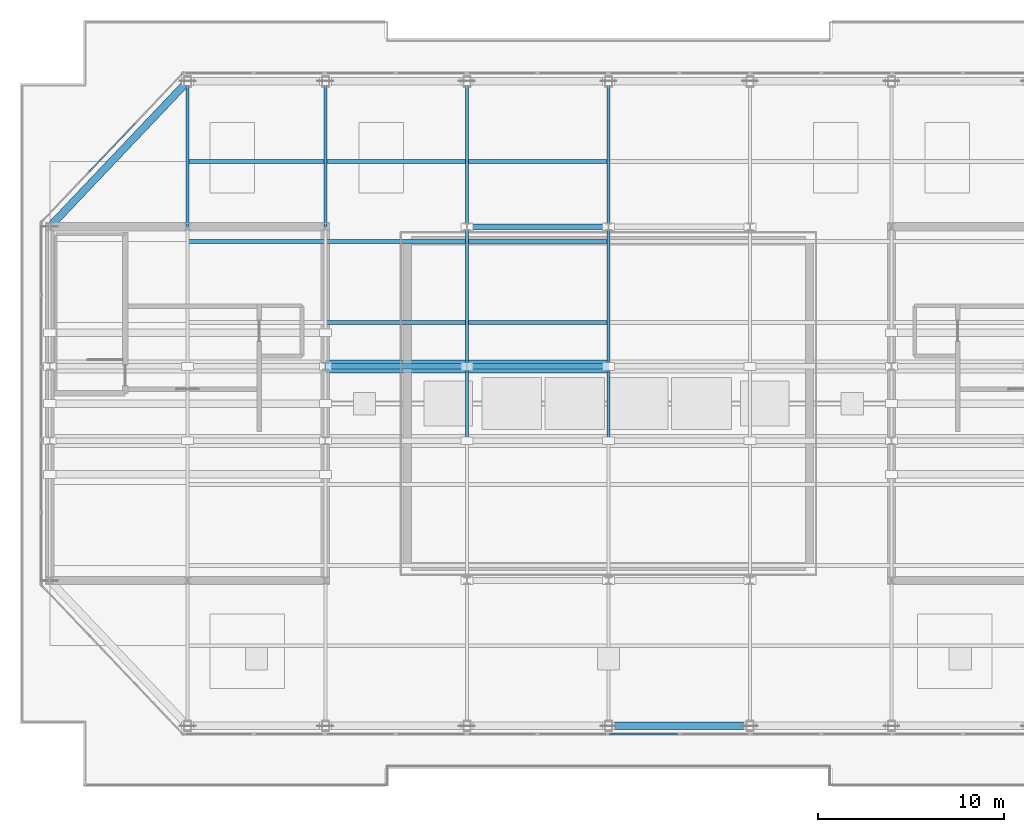
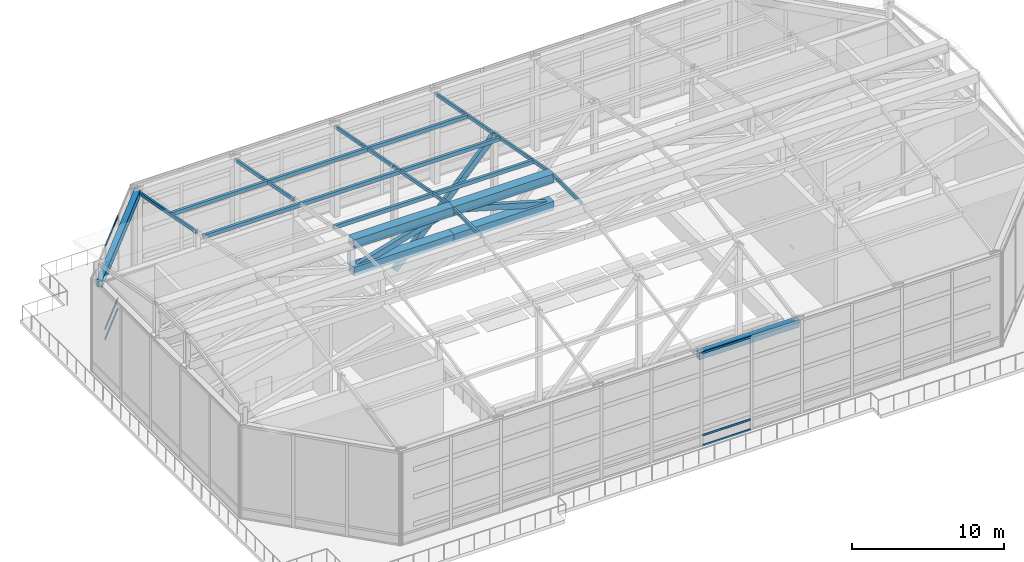
# One storey, part 9 of 25: 26 members, 2 beams, 2 elements without a shape of their own.
"""IFC4 building model written with IfcOpenShell, lengths in metres."""

from ifc_helpers import new_model, si_unit, direction, frame, origin, origin_2d, place, context, subcontext, project, spatial, hollow_rectangle, extrude, source, transform, mapped, material, layer, layer_set, material_profile, profile_set, type_object, type_shapes, element, aggregate, save


model = new_model("IFC4")

# Units and contexts
model_context = context("Model", 3, precision=1e-05, world=origin(), true_north=direction((0.0, 1.0)))
body_context = subcontext(model_context, "Body", "Model", "MODEL_VIEW")
ifc_project = project(units=[si_unit("LENGTHUNIT", "METRE"), si_unit("AREAUNIT", "SQUARE_METRE"), si_unit("VOLUMEUNIT", "CUBIC_METRE"), si_unit("PLANEANGLEUNIT", "RADIAN"), si_unit("MASSUNIT", "GRAM", prefix="KILO")], contexts=[model_context])

# Site, building, storey
site_placement = place(None, origin())
site = spatial("IfcSite", under=ifc_project, at=site_placement, CompositionType="ELEMENT")
building_placement = place(site_placement, origin())
building = spatial("IfcBuilding", under=site, at=building_placement, Name="Haelvirn Gate Laboratories", CompositionType="ELEMENT")
storey_placement = place(building_placement, frame((0.0, 0.0, 337.800048828125)))
storey = spatial("IfcBuildingStorey", under=building, at=storey_placement, Name="RF", CompositionType="ELEMENT", Elevation=337.800048828125)

# Beams
ifc_material_1 = material(Name="Steel SM420", Category="steel")
ifc_material_profile_1 = material_profile(ifc_material_1, hollow_rectangle(XDim=0.39990234375, YDim=0.60009765625, WallThickness=0.02490234375, at=origin_2d()), Name="BOX-600x400x25")
ifc_profile_set_1 = profile_set([ifc_material_profile_1], Name="Steel SM420")
beam_type = type_object("IfcBeamType", Name="BM-CROWN-CAP", PredefinedType="USERDEFINED", material=ifc_profile_set_1)
shared_shape_1 = source(origin(), body_context, "Body", "SweptSolid", [
    extrude(hollow_rectangle(XDim=0.39990234375, YDim=0.60009765625, WallThickness=0.02490234375, at=origin_2d()), origin(), (0.0, 0.0, 1.0), 7.60009765625),
])
beam_1_placement = place(storey_placement, frame((37.39990234375, 7.0, 7.050048828125), z_axis=(1.0, 0.0, 0.0), x_axis=(0.0, 1.0, 0.0)))
element("IfcBeam", 1, at=beam_1_placement, inside=storey, type_object=beam_type, Name="RF Crown Frame Cap Ring Beam S4-S5", ObjectType="CROWN FRAME", PredefinedType="USERDEFINED", context=body_context, shape_type="MappedRepresentation", body=[
    mapped(shared_shape_1, transform((0.0, 0.0, 0.0), scale=1.0)),
])
shared_shape_2 = source(origin(), body_context, "Body", "SweptSolid", [
    extrude(hollow_rectangle(XDim=0.39990234375, YDim=0.60009765625, WallThickness=0.02490234375, at=origin_2d()), origin(), (0.0, 0.0, 1.0), 10.751953125),
])
type_shapes(beam_type, [shared_shape_1, shared_shape_2])
beam_2_placement = place(storey_placement, frame((14.800048828125, 41.60009765625, 7.050048828125), z_axis=(-0.688265334683, -0.725459047138, 0.0), x_axis=(0.725459047138, -0.688265334683, 0.0)))
element("IfcBeam", 2, at=beam_2_placement, inside=storey, type_object=beam_type, Name="RF Crown Frame Cap Ring Beam N1-W4", ObjectType="CROWN FRAME", PredefinedType="USERDEFINED", context=body_context, shape_type="MappedRepresentation", body=[
    mapped(shared_shape_2, transform((0.0, 0.0, 0.0), scale=1.0)),
])

# Members
ifc_material_profile_2 = material_profile(ifc_material_1, hollow_rectangle(XDim=0.300048828125, YDim=0.449951171875, WallThickness=0.02001953125, at=origin_2d()), Name="BOX-450x300x20")
ifc_profile_set_2 = profile_set([ifc_material_profile_2], Name="Steel SM420")
member_type_1 = type_object("IfcMemberType", Name="MEM-CROWN-BR", PredefinedType="USERDEFINED", material=ifc_profile_set_2)
shared_shape_3 = source(origin(), body_context, "Body", "SweptSolid", [
    extrude(hollow_rectangle(XDim=0.300048828125, YDim=0.449951171875, WallThickness=0.02001953125, at=origin_2d()), origin(), (0.0, 0.0, 1.0), 11.1884765625),
])
member_1_placement = place(storey_placement, frame((29.800048828125, 33.800048828125, 0.300048828125), z_axis=(0.679259204287, 0.0, 0.733898448964), x_axis=(0.0, 1.0, 0.0)))
element("IfcMember", 3, at=member_1_placement, inside=storey, type_object=member_type_1, Name="RF Crown Frame Interior Brace N1", ObjectType="CROWN FRAME", PredefinedType="USERDEFINED", context=body_context, shape_type="MappedRepresentation", body=[
    mapped(shared_shape_3, transform((0.0, 0.0, 0.0), scale=1.0)),
])
ifc_material_profile_3 = material_profile(ifc_material_1, hollow_rectangle(XDim=0.699951171875, YDim=0.699951171875, WallThickness=0.031982421875, at=origin_2d()), Name="BOX-700x700x32")
ifc_profile_set_3 = profile_set([ifc_material_profile_3], Name="Steel SM420")
member_type_2 = type_object("IfcMemberType", Name="MEM-ARCH-RIB", PredefinedType="CHORD", material=ifc_profile_set_3)
shared_shape_4 = source(origin(), body_context, "Body", "SweptSolid", [
    extrude(hollow_rectangle(XDim=0.699951171875, YDim=0.699951171875, WallThickness=0.031982421875, at=origin_2d()), origin(), (0.0, 0.0, 1.0), 7.60009765625),
])
for number, where, z_axis, x_axis, name in (
    (4, (22.199951171875, 26.300048828125, 9.75537109375), (1.0, 0.0, 0.0), (0.0, 1.0, 0.0), "RF Vault Ridge Top Chord N-3"),
    (5, (22.199951171875, 26.300048828125, 7.550048828125), (1.0, 0.0, 0.0), (0.0, 1.0, 0.0), "RF Vault Ridge Bottom Chord N-3"),
):
    element("IfcMember", number, at=place(storey_placement, frame(where, z_axis=z_axis, x_axis=x_axis)), inside=storey, type_object=member_type_2, Name=name, PredefinedType="CHORD", context=body_context, shape_type="MappedRepresentation", body=[
        mapped(shared_shape_4, transform((0.0, 0.0, 0.0), scale=1.0)),
    ])
shared_shape_5 = source(origin(), body_context, "Body", "SweptSolid", [
    extrude(hollow_rectangle(XDim=0.300048828125, YDim=0.449951171875, WallThickness=0.02001953125, at=origin_2d()), origin(), (0.0, 0.0, 1.0), 7.91357421875),
])
member_2_placement = place(storey_placement, frame((22.199951171875, 26.300048828125, 7.550048828125), z_axis=(0.960385387725, 0.0, 0.278675271677), x_axis=(0.0, 1.0, 0.0)))
element("IfcMember", 6, at=member_2_placement, inside=storey, type_object=member_type_1, Name="RF Vault Ridge Truss Web N-3", ObjectType="CROWN FRAME", PredefinedType="USERDEFINED", context=body_context, shape_type="MappedRepresentation", body=[
    mapped(shared_shape_5, transform((0.0, 0.0, 0.0), scale=1.0)),
])
shared_shape_6 = source(origin(), body_context, "Body", "SweptSolid", [
    extrude(hollow_rectangle(XDim=0.699951171875, YDim=0.699951171875, WallThickness=0.031982421875, at=origin_2d()), origin(), (0.0, 0.0, 1.0), 7.599853515625),
])
type_shapes(member_type_2, [shared_shape_4, shared_shape_6])
for number, where, z_axis, x_axis, name in (
    (7, (29.800048828125, 26.300048828125, 9.75537109375), (1.0, 0.0, 0.0), (0.0, 1.0, 0.0), "RF Vault Ridge Top Chord N-4"),
    (8, (29.800048828125, 26.300048828125, 7.550048828125), (1.0, 0.0, 0.0), (0.0, 1.0, 0.0), "RF Vault Ridge Bottom Chord N-4"),
):
    element("IfcMember", number, at=place(storey_placement, frame(where, z_axis=z_axis, x_axis=x_axis)), inside=storey, type_object=member_type_2, Name=name, PredefinedType="CHORD", context=body_context, shape_type="MappedRepresentation", body=[
        mapped(shared_shape_6, transform((0.0, 0.0, 0.0), scale=1.0)),
    ])
shared_shape_7 = source(origin(), body_context, "Body", "SweptSolid", [
    extrude(hollow_rectangle(XDim=0.300048828125, YDim=0.449951171875, WallThickness=0.02001953125, at=origin_2d()), origin(), (0.0, 0.0, 1.0), 7.913330078125),
])
type_shapes(member_type_1, [shared_shape_3, shared_shape_5, shared_shape_7])
member_3_placement = place(storey_placement, frame((29.800048828125, 26.300048828125, 9.75537109375), z_axis=(0.960382991748, 0.0, -0.278683528686), x_axis=(0.0, 1.0, 0.0)))
element("IfcMember", 9, at=member_3_placement, inside=storey, type_object=member_type_1, Name="RF Vault Ridge Truss Web N-4", ObjectType="CROWN FRAME", PredefinedType="USERDEFINED", context=body_context, shape_type="MappedRepresentation", body=[
    mapped(shared_shape_7, transform((0.0, 0.0, 0.0), scale=1.0)),
])
ifc_material_2 = material(Name="Steel SM355", Category="steel")
ifc_material_profile_4 = material_profile(ifc_material_2, hollow_rectangle(XDim=0.14990234375, YDim=0.25, WallThickness=0.010009765625, at=origin_2d()), Name="RHS-250x150x10")
ifc_profile_set_4 = profile_set([ifc_material_profile_4], Name="Steel SM355")
member_type_3 = type_object("IfcMemberType", Name="MEM-CROWN-RAF", PredefinedType="RAFTER", material=ifc_profile_set_4)
shared_shape_8 = source(origin(), body_context, "Body", "SweptSolid", [
    extrude(hollow_rectangle(XDim=0.14990234375, YDim=0.25, WallThickness=0.010009765625, at=origin_2d()), origin(), (0.0, 0.0, 1.0), 7.626708984375),
])
for number, where, z_axis, x_axis, name in (
    (10, (29.800048828125, 26.300048828125, 9.955322265625), (0.0, 0.983390092547, -0.181504616691), (-1.0, 0.0, 0.0), "RF Vault Rafter Chord X29.8-4"),
    (11, (37.39990234375, 26.300048828125, 9.955322265625), (0.0, 0.983390092547, -0.181504616691), (-1.0, 0.0, 0.0), "RF Vault Rafter Chord X37.4-4"),
):
    element("IfcMember", number, at=place(storey_placement, frame(where, z_axis=z_axis, x_axis=x_axis)), inside=storey, type_object=member_type_3, Name=name, PredefinedType="RAFTER", context=body_context, shape_type="MappedRepresentation", body=[
        mapped(shared_shape_8, transform((0.0, 0.0, 0.0), scale=1.0)),
    ])
shared_shape_9 = source(origin(), body_context, "Body", "SweptSolid", [
    extrude(hollow_rectangle(XDim=0.14990234375, YDim=0.25, WallThickness=0.010009765625, at=origin_2d()), origin(), (0.0, 0.0, 1.0), 4.0),
])
for number, where, z_axis, x_axis, name in (
    (12, (29.800048828125, 22.300048828125, 9.955322265625), (0.0, 1.0, 0.0), (-1.0, 0.0, 0.0), "RF Vault Rafter Chord X29.8-3"),
    (13, (37.39990234375, 22.300048828125, 9.955322265625), (0.0, 1.0, 0.0), (-1.0, 0.0, 0.0), "RF Vault Rafter Chord X37.4-3"),
):
    element("IfcMember", number, at=place(storey_placement, frame(where, z_axis=z_axis, x_axis=x_axis)), inside=storey, type_object=member_type_3, Name=name, PredefinedType="RAFTER", context=body_context, shape_type="MappedRepresentation", body=[
        mapped(shared_shape_9, transform((0.0, 0.0, 0.0), scale=1.0)),
    ])
shared_shape_10 = source(origin(), body_context, "Body", "SweptSolid", [
    extrude(hollow_rectangle(XDim=0.14990234375, YDim=0.25, WallThickness=0.010009765625, at=origin_2d()), origin(), (0.0, 0.0, 1.0), 7.9375),
])
type_shapes(member_type_3, [shared_shape_8, shared_shape_9, shared_shape_10])
for number, where, z_axis, x_axis, name in (
    (14, (14.800048828125, 33.800048828125, 8.571044921875), (0.0, 0.982673493777, -0.185345096044), (-1.0, 0.0, 0.0), "RF Vault Rafter Chord X14.8-5"),
    (15, (22.199951171875, 33.800048828125, 8.571044921875), (0.0, 0.982673493777, -0.185345096044), (-1.0, 0.0, 0.0), "RF Vault Rafter Chord X22.2-5"),
    (16, (29.800048828125, 33.800048828125, 8.571044921875), (0.0, 0.982673493777, -0.185345096044), (-1.0, 0.0, 0.0), "RF Vault Rafter Chord X29.8-5"),
    (17, (37.39990234375, 33.800048828125, 8.571044921875), (0.0, 0.982673493777, -0.185345096044), (-1.0, 0.0, 0.0), "RF Vault Rafter Chord X37.4-5"),
):
    element("IfcMember", number, at=place(storey_placement, frame(where, z_axis=z_axis, x_axis=x_axis)), inside=storey, type_object=member_type_3, Name=name, PredefinedType="RAFTER", context=body_context, shape_type="MappedRepresentation", body=[
        mapped(shared_shape_10, transform((0.0, 0.0, 0.0), scale=1.0)),
    ])
ifc_material_profile_5 = material_profile(ifc_material_2, hollow_rectangle(XDim=0.199951171875, YDim=0.300048828125, WallThickness=0.011962890625, at=origin_2d()), Name="RHS-300x200x12")
ifc_profile_set_5 = profile_set([ifc_material_profile_5], Name="Steel SM355")
member_type_4 = type_object("IfcMemberType", Name="MEM-ROOF-PURL", PredefinedType="PURLIN", material=ifc_profile_set_5)
shared_shape_11 = source(origin(), body_context, "Body", "SweptSolid", [
    extrude(hollow_rectangle(XDim=0.199951171875, YDim=0.300048828125, WallThickness=0.011962890625, at=origin_2d()), origin(), (0.0, 0.0, 1.0), 7.39990234375),
])
for number, where, z_axis, x_axis, name in (
    (18, (14.800048828125, 33.0, 8.699951171875), (1.0, 0.0, 0.0), (0.0, 1.0, 0.0), "RF Vault Purlin 5 (14.8-22.2)"),
    (19, (14.800048828125, 37.300048828125, 7.89990234375), (1.0, 0.0, 0.0), (0.0, 1.0, 0.0), "RF Vault Purlin 6 (14.8-22.2)"),
):
    element("IfcMember", number, at=place(storey_placement, frame(where, z_axis=z_axis, x_axis=x_axis)), inside=storey, type_object=member_type_4, Name=name, PredefinedType="PURLIN", context=body_context, shape_type="MappedRepresentation", body=[
        mapped(shared_shape_11, transform((0.0, 0.0, 0.0), scale=1.0)),
    ])
shared_shape_12 = source(origin(), body_context, "Body", "SweptSolid", [
    extrude(hollow_rectangle(XDim=0.199951171875, YDim=0.300048828125, WallThickness=0.011962890625, at=origin_2d()), origin(), (0.0, 0.0, 1.0), 15.199951171875),
])
type_shapes(member_type_4, [shared_shape_11, shared_shape_12])
for number, where, z_axis, x_axis, name in (
    (20, (22.199951171875, 28.64990234375, 9.5), (1.0, 0.0, 0.0), (0.0, 1.0, 0.0), "RF Vault Purlin 4 (22.2-37.4)"),
    (21, (22.199951171875, 33.0, 8.699951171875), (1.0, 0.0, 0.0), (0.0, 1.0, 0.0), "RF Vault Purlin 5 (22.2-37.4)"),
    (22, (22.199951171875, 37.300048828125, 7.89990234375), (1.0, 0.0, 0.0), (0.0, 1.0, 0.0), "RF Vault Purlin 6 (22.2-37.4)"),
):
    element("IfcMember", number, at=place(storey_placement, frame(where, z_axis=z_axis, x_axis=x_axis)), inside=storey, type_object=member_type_4, Name=name, PredefinedType="PURLIN", context=body_context, shape_type="MappedRepresentation", body=[
        mapped(shared_shape_12, transform((0.0, 0.0, 0.0), scale=1.0)),
    ])

# Curtain wall, members
ifc_material_3 = material(Name="Anodised bronze unitised aluminium & triple low-E glass", Category="aluminium")
ifc_layer = layer(ifc_material_3, 0.19189453125, Name="CW-SYS-6")
ifc_layer_set = layer_set([ifc_layer], Name="Anodised bronze unitised aluminium & triple low-E glass")
curtain_wall_type = type_object("IfcCurtainWallType", Name="CW-SYS-6", PredefinedType="NOTDEFINED", material=ifc_layer_set)
curtain_wall_1_placement = place(storey_placement, origin())
curtain_wall_1 = element("IfcCurtainWall", 23, at=curtain_wall_1_placement, inside=storey, type_object=curtain_wall_type, Name="RF Unitised Curtain Wall CW-RF-RING-00", PredefinedType="NOTDEFINED")
ifc_material_4 = material(Name="Extruded aluminium 6063-T6 (anodised bronze)", Category="aluminium")
ifc_material_profile_6 = material_profile(ifc_material_4, hollow_rectangle(XDim=0.070068359375, YDim=0.159912109375, WallThickness=0.0048828125, at=origin_2d()), Name="CWT-160x70x5")
ifc_profile_set_6 = profile_set([ifc_material_profile_6], Name="Extruded aluminium 6063-T6 (anodised bronze)")
member_type_5 = type_object("IfcMemberType", Name="CWT-T160", PredefinedType="USERDEFINED", material=ifc_profile_set_6)
shared_shape_13 = source(origin(), body_context, "Body", "SweptSolid", [
    extrude(hollow_rectangle(XDim=0.070068359375, YDim=0.159912109375, WallThickness=0.0048828125, at=origin_2d()), origin(), (0.0, 0.0, 1.0), 3.728271484375),
])
member_4_placement = place(storey_placement, frame((37.43994140625, 6.550048828125, 0.034912109375), z_axis=(1.0, 0.0, 0.0), x_axis=(0.0, 1.0, 0.0)))
member_4 = element("IfcMember", 24, at=member_4_placement, type_object=member_type_5, Name="CW6 transom 7.1", ObjectType="TRANSOM", PredefinedType="USERDEFINED", context=body_context, shape_type="MappedRepresentation", body=[
    mapped(shared_shape_13, transform((0.0, 0.0, 0.0), scale=1.0)),
])
member_5_placement = place(storey_placement, frame((37.43994140625, 6.550048828125, 0.849853515625), z_axis=(1.0, 0.0, 0.0), x_axis=(0.0, 1.0, 0.0)))
member_5 = element("IfcMember", 25, at=member_5_placement, type_object=member_type_5, Name="CW6 transom 7.2", ObjectType="TRANSOM", PredefinedType="USERDEFINED", context=body_context, shape_type="MappedRepresentation", body=[
    mapped(shared_shape_13, transform((0.0, 0.0, 0.0), scale=1.0)),
])
member_6_placement = place(storey_placement, frame((37.43994140625, 6.550048828125, 7.46484375), z_axis=(1.0, 0.0, 0.0), x_axis=(0.0, 1.0, 0.0)))
member_6 = element("IfcMember", 26, at=member_6_placement, type_object=member_type_5, Name="CW6 transom 7.3", ObjectType="TRANSOM", PredefinedType="USERDEFINED", context=body_context, shape_type="MappedRepresentation", body=[
    mapped(shared_shape_13, transform((0.0, 0.0, 0.0), scale=1.0)),
])
aggregate(curtain_wall_1, [member_4, member_5, member_6])

curtain_wall_2_placement = place(storey_placement, origin())
curtain_wall_2 = element("IfcCurtainWall", 27, at=curtain_wall_2_placement, inside=storey, type_object=curtain_wall_type, Name="RF Unitised Curtain Wall CW-RF-RING-05", PredefinedType="NOTDEFINED")
shared_shape_14 = source(origin(), body_context, "Body", "SweptSolid", [
    extrude(hollow_rectangle(XDim=0.070068359375, YDim=0.159912109375, WallThickness=0.0048828125, at=origin_2d()), origin(), (0.0, 0.0, 1.0), 3.597900390625),
])
type_shapes(member_type_5, [shared_shape_13, shared_shape_14])
member_7_placement = place(storey_placement, frame((11.989013671875, 39.354248046875, 0.034912109375), z_axis=(-0.68872271199, -0.725024845085, 0.0), x_axis=(0.725024845085, -0.68872271199, 0.0)))
member_7 = element("IfcMember", 28, at=member_7_placement, type_object=member_type_5, Name="CW6 transom 2.1", ObjectType="TRANSOM", PredefinedType="USERDEFINED", context=body_context, shape_type="MappedRepresentation", body=[
    mapped(shared_shape_14, transform((0.0, 0.0, 0.0), scale=1.0)),
])
member_8_placement = place(storey_placement, frame((11.989013671875, 39.354248046875, 0.849853515625), z_axis=(-0.68872271199, -0.725024845085, 0.0), x_axis=(0.725024845085, -0.68872271199, 0.0)))
member_8 = element("IfcMember", 29, at=member_8_placement, type_object=member_type_5, Name="CW6 transom 2.2", ObjectType="TRANSOM", PredefinedType="USERDEFINED", context=body_context, shape_type="MappedRepresentation", body=[
    mapped(shared_shape_14, transform((0.0, 0.0, 0.0), scale=1.0)),
])
member_9_placement = place(storey_placement, frame((11.989013671875, 39.354248046875, 7.46484375), z_axis=(-0.68872271199, -0.725024845085, 0.0), x_axis=(0.725024845085, -0.68872271199, 0.0)))
member_9 = element("IfcMember", 30, at=member_9_placement, type_object=member_type_5, Name="CW6 transom 2.3", ObjectType="TRANSOM", PredefinedType="USERDEFINED", context=body_context, shape_type="MappedRepresentation", body=[
    mapped(shared_shape_14, transform((0.0, 0.0, 0.0), scale=1.0)),
])
aggregate(curtain_wall_2, [member_7, member_8, member_9])

save(model, "model.ifc")
